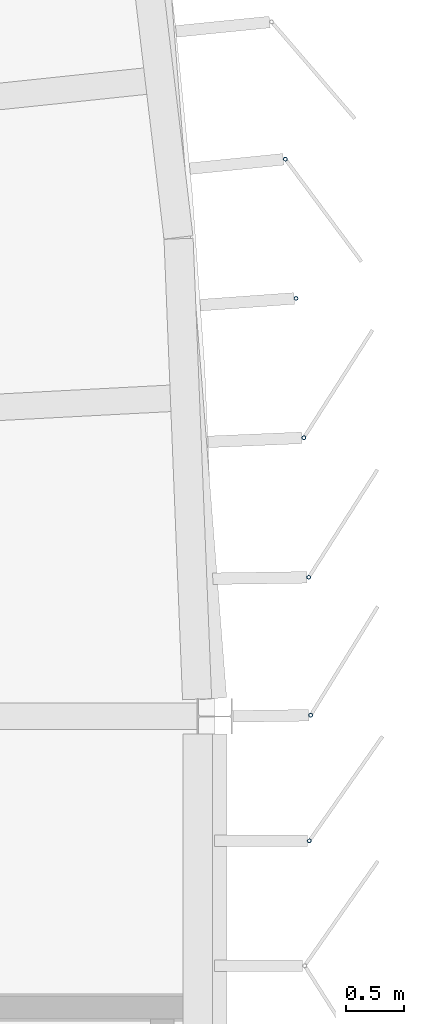
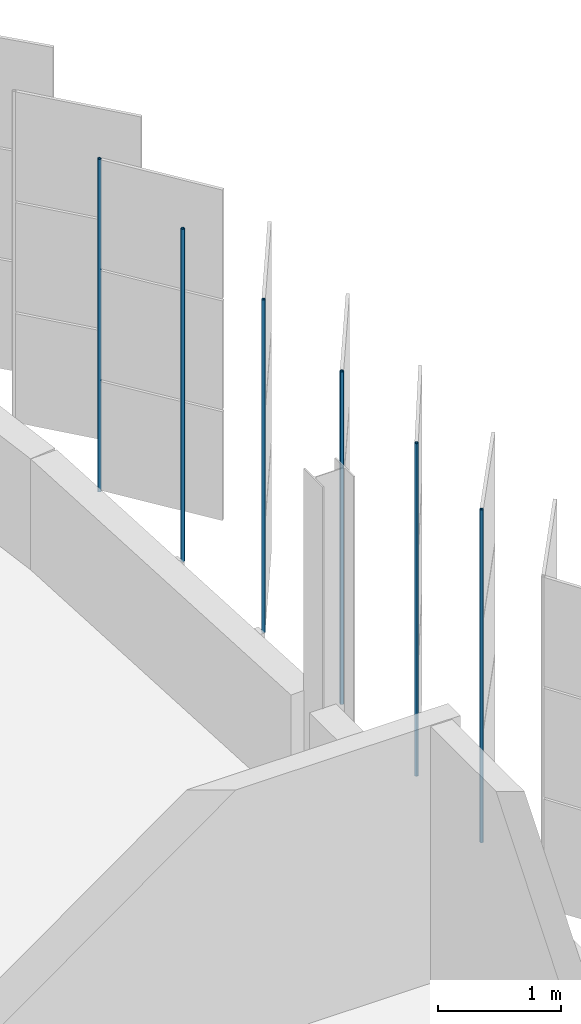
# One storey, part 121 of 199: 6 discrete accessories.
"""IFC4 building model written with IfcOpenShell, lengths in metres."""

from ifc_helpers import new_model, si_unit, direction, frame, origin, origin_2d, place, context, subcontext, project, spatial, hollow_circle, extrude, material, material_profile, profile_set, type_object, element, save


model = new_model("IFC4")

# Units and contexts
model_context = context("Model", 3, precision=1e-05, world=origin(), true_north=direction((0.0, 1.0)))
body_context = subcontext(model_context, "Body", "Model", "MODEL_VIEW")
ifc_project = project(units=[si_unit("LENGTHUNIT", "METRE"), si_unit("AREAUNIT", "SQUARE_METRE"), si_unit("VOLUMEUNIT", "CUBIC_METRE"), si_unit("PLANEANGLEUNIT", "RADIAN"), si_unit("MASSUNIT", "GRAM", prefix="KILO")], contexts=[model_context])

# Site, building, storey
site_placement = place(None, origin())
site = spatial("IfcSite", under=ifc_project, at=site_placement, CompositionType="ELEMENT")
building_placement = place(site_placement, origin())
building = spatial("IfcBuilding", under=site, at=building_placement, Name="Parallax Yard Mobility Hub", CompositionType="ELEMENT")
storey_placement = place(building_placement, frame((0.0, 0.0, 9.89990234375)))
storey = spatial("IfcBuildingStorey", under=building, at=storey_placement, Name="L03", CompositionType="ELEMENT", Elevation=9.89990234375)

# Discrete accessories
ifc_material = material(Name="Steel ASTM A500 Gr C, hot-dip galvanised", Category="steel")
ifc_material_profile = material_profile(ifc_material, hollow_circle(Radius=0.016845703125, WallThickness=0.003173828125, at=origin_2d()), Name="CHS 33.7x3.2")
ifc_profile_set = profile_set([ifc_material_profile], Name="Steel ASTM A500 Gr C, hot-dip galvanised")
discrete_accessory_type = type_object("IfcDiscreteAccessoryType", Name="Hinge post CHS 33.7x3.2", PredefinedType="BRACKET", material=ifc_profile_set)
for number, where, z_axis, x_axis, name in (
    (1, (225.811767578125, 88.9306640625, 0.0), (0.0, 0.0, 1.0), (1.0, 0.0, 0.0), "Hinge post bay 40.7 level L03"),
    (2, (225.82373046875, 90.010009765625, 0.0), (0.0, 0.0, 1.0), (1.0, 0.0, 0.0), "Hinge post bay 41.1 level L03"),
    (3, (225.806884765625, 91.194091796875, 0.0), (0.0, 0.0, 1.0), (1.0, 0.0, 0.0), "Hinge post bay 41.2 level L03"),
    (4, (225.764892578125, 92.392822265625, 0.0), (0.0, 0.0, 1.0), (1.0, 0.0, 0.0), "Hinge post bay 41.3 level L03"),
    (5, (225.697998046875, 93.590087890625, 0.0), (0.0, 0.0, 1.0), (1.0, 0.0, 0.0), "Hinge post bay 41.4 level L03"),
    (6, (225.60595703125, 94.785888671875, 0.0), (0.0, 0.0, 1.0), (1.0, 0.0, 0.0), "Hinge post bay 41.5 level L03"),
):
    element("IfcDiscreteAccessory", number, at=place(storey_placement, frame(where, z_axis=z_axis, x_axis=x_axis)), inside=storey, type_object=discrete_accessory_type, Name=name, PredefinedType="BRACKET", context=body_context, shape_type="SweptSolid", body=[
        extrude(hollow_circle(Radius=0.016845703125, WallThickness=0.003173828125, at=origin_2d()), origin(), (0.0, 0.0, 1.0), 3.300048828125),
    ])

save(model, "model.ifc")
